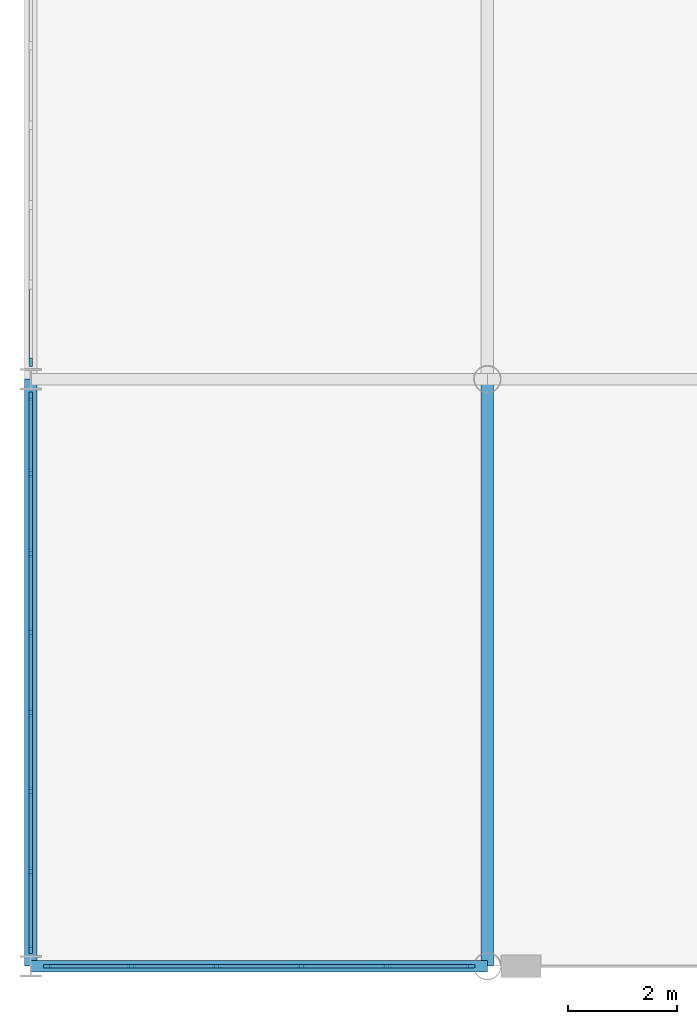
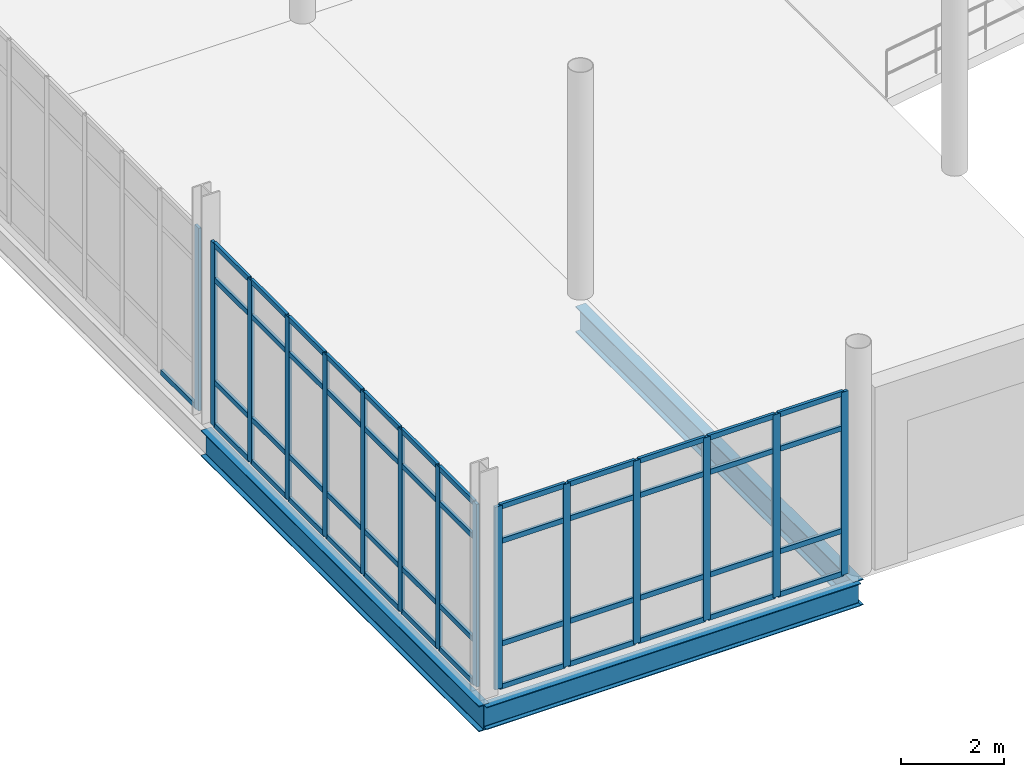
# One storey, part 20 of 111: 64 members, 3 beams, 3 elements without a shape of their own.
"""IFC4 building model written with IfcOpenShell, lengths in metres."""

import ifcopenshell
import ifcopenshell.guid

model = None  # the IFC model being written
_history = None  # IfcOwnerHistory: only IFC2X3 demands one
_inside = {}  # id of a spatial element -> (the spatial element, [elements in it])
_under = {}  # id of a project, library or spatial element -> (it, [spatial elements below it])
_declared = {}  # id of a project -> (the project, [libraries it declares])
_typed = {}  # id of a type object -> (the type object, [elements of that type])
_made_of = {}  # id of a material, layer set ... -> (it, [elements and type objects made of it])


def new_model(schema):
    """Start an empty IFC model of exactly this schema.

    Asked for "IFC4X3", IfcOpenShell would pick the latest addendum, in which some entities
    have other attributes; the version numbers below select the first issue.
    IFC2X3 requires an IfcOwnerHistory on every rooted entity: one is made here for all.
    """
    global model, _history
    if schema == "IFC4X3":
        model = ifcopenshell.file(schema_version=(4, 3, 0, 0))
    else:
        model = ifcopenshell.file(schema=schema)
    _inside.clear()
    _under.clear()
    _declared.clear()
    _typed.clear()
    _made_of.clear()
    _history = None
    if model.schema == "IFC2X3":
        org = make("IfcOrganization", Name="unknown")
        user = make(
            "IfcPersonAndOrganization",
            ThePerson=make("IfcPerson", FamilyName="unknown"),
            TheOrganization=org,
        )
        app = make(
            "IfcApplication",
            ApplicationDeveloper=org,
            Version="unknown",
            ApplicationFullName="unknown",
            ApplicationIdentifier="unknown",
        )
        _history = make(
            "IfcOwnerHistory",
            OwningUser=user,
            OwningApplication=app,
            ChangeAction="ADDED",
            CreationDate=0,
        )
    return model


def make(cls, **values):
    """One entity of the class cls with the attributes given. An attribute that is None is left unset."""
    return model.create_entity(
        cls, **{name: value for name, value in values.items() if value is not None}
    )


def rooted(cls, **values):
    """An entity with a GlobalId (a new one), such as an element, a storey or a relation."""
    return make(cls, GlobalId=ifcopenshell.guid.new(), OwnerHistory=_history, **values)


def si_unit(unit_type, name, prefix=None):
    """IfcSIUnit, for example si_unit("LENGTHUNIT", "METRE", prefix="MILLI")."""
    return make("IfcSIUnit", UnitType=unit_type, Prefix=prefix, Name=name)


def assignment(units):
    """IfcUnitAssignment: the units of a project."""
    return None if units is None else make("IfcUnitAssignment", Units=units)


def point(xyz):
    """IfcCartesianPoint."""
    return None if xyz is None else make("IfcCartesianPoint", Coordinates=xyz)


def direction(xyz):
    """IfcDirection."""
    return None if xyz is None else make("IfcDirection", DirectionRatios=xyz)


def frame(location, z_axis=None, x_axis=None):
    """IfcAxis2Placement3D, a coordinate frame: its origin and axes. An axis left out is left unset."""
    return make(
        "IfcAxis2Placement3D",
        Location=point(location),
        Axis=direction(z_axis),
        RefDirection=direction(x_axis),
    )


def frame_2d(location, x_axis=None):
    """IfcAxis2Placement2D, a coordinate frame in the plane: its origin and x axis."""
    return make(
        "IfcAxis2Placement2D", Location=point(location), RefDirection=direction(x_axis)
    )


def origin():
    """The frame at (0, 0, 0) with its axes left unset."""
    return frame((0.0, 0.0, 0.0))


def origin_2d():
    """The frame at (0, 0) in the plane with its x axis left unset."""
    return frame_2d((0.0, 0.0))


def place(relative_to, where):
    """IfcLocalPlacement: puts the frame where relative to a parent placement (None: the world)."""
    return make(
        "IfcLocalPlacement", PlacementRelTo=relative_to, RelativePlacement=where
    )


def context(
    kind, dimensions, precision=None, world=None, true_north=None, identifier=None
):
    """IfcGeometricRepresentationContext, for example the 3D "Model" context."""
    return make(
        "IfcGeometricRepresentationContext",
        ContextIdentifier=identifier,
        ContextType=kind,
        CoordinateSpaceDimension=dimensions,
        Precision=precision,
        WorldCoordinateSystem=world,
        TrueNorth=true_north,
    )


def subcontext(parent, identifier, kind, view, scale=None):
    """IfcGeometricRepresentationSubContext, for example "Body" below "Model"."""
    return make(
        "IfcGeometricRepresentationSubContext",
        ContextIdentifier=identifier,
        ContextType=kind,
        ParentContext=parent,
        TargetScale=scale,
        TargetView=view,
    )


def project(units=None, contexts=None):
    """IfcProject with its units and contexts."""
    return rooted(
        "IfcProject",
        Name="project",
        RepresentationContexts=contexts,
        UnitsInContext=assignment(units),
    )


def spatial(cls, under=None, at=None, **own):
    """A site, building, storey or space (cls), placed at a placement, below another one or the project."""
    s = rooted(cls, ObjectPlacement=at, **own)
    if under is not None:
        _under.setdefault(under.id(), (under, []))[1].append(s)
    return s


def profile(cls, at=None, kind="AREA", **sizes):
    """A parametric profile (cls). Its sizes go by their IFC names, for example OverallWidth=200.0."""
    return make(cls, ProfileType=kind, Position=at, **sizes)


def rectangle(**sizes):
    """IfcRectangleProfileDef."""
    return profile("IfcRectangleProfileDef", **sizes)


def i_section(**sizes):
    """IfcIShapeProfileDef."""
    return profile("IfcIShapeProfileDef", **sizes)


def extrude(swept, where, along, depth):
    """IfcExtrudedAreaSolid: the profile swept, set in the frame where, extruded along a direction by depth."""
    return make(
        "IfcExtrudedAreaSolid",
        SweptArea=swept,
        Position=where,
        ExtrudedDirection=direction(along),
        Depth=depth,
    )


def shape(context_of_items, identifier, shape_type, items):
    """IfcShapeRepresentation: the items that make up one representation, for example the "Body"."""
    return make(
        "IfcShapeRepresentation",
        ContextOfItems=context_of_items,
        RepresentationIdentifier=identifier,
        RepresentationType=shape_type,
        Items=items,
    )


def material(Name=None, Category=None):
    """IfcMaterial."""
    return make("IfcMaterial", Name=Name, Category=Category)


def layer(
    of_material, thickness, ventilated=None, Name=None, Category=None, Priority=None
):
    """IfcMaterialLayer: one layer of a wall or slab, of a material (None: an air gap)."""
    return make(
        "IfcMaterialLayer",
        Material=of_material,
        LayerThickness=thickness,
        IsVentilated=ventilated,
        Name=Name,
        Category=Category,
        Priority=Priority,
    )


def layer_set(layers, Name=None):
    """IfcMaterialLayerSet."""
    return make("IfcMaterialLayerSet", MaterialLayers=layers, LayerSetName=Name)


def material_profile(
    of_material, cross_section, Name=None, Category=None, Priority=None
):
    """IfcMaterialProfile: a cross section and its material."""
    return make(
        "IfcMaterialProfile",
        Name=Name,
        Material=of_material,
        Profile=cross_section,
        Priority=Priority,
        Category=Category,
    )


def profile_set(profiles, Name=None, composite=None):
    """IfcMaterialProfileSet."""
    return make(
        "IfcMaterialProfileSet",
        Name=Name,
        MaterialProfiles=profiles,
        CompositeProfile=composite,
    )


def made_of(thing, what):
    """Note that an element or type object is made of a material, layer set ...; save() writes the relation."""
    if what is not None:
        _made_of.setdefault(what.id(), (what, []))[1].append(thing)
    return thing


def type_object(cls, material=None, **own):
    """A type object (cls), such as IfcWallType, which elements share."""
    return made_of(rooted(cls, **own), material)


def element(
    cls,
    number,
    at=None,
    inside=None,
    cuts=None,
    type_object=None,
    material=None,
    context=None,
    identifier="Body",
    shape_type=None,
    held_by="IfcProductDefinitionShape",
    body=None,
    shapes=None,
    **own,
):
    """One element of the class cls, such as IfcWall. Its Tag is "e" and its number.

    at: its placement. inside: the storey or other place that contains it. cuts: it is an
    opening in that element (IfcRelVoidsElement). A single representation is given by context,
    identifier, shape_type and body (its items); several are given by shapes. held_by: the class
    of the entity that holds the representations. save() writes the other relations.
    """
    e = rooted(cls, Tag="e%d" % number, ObjectPlacement=at, **own)
    if body is not None:
        shapes = [shape(context, identifier, shape_type, body)]
    if shapes is not None:
        e.Representation = make(held_by, Representations=shapes)
    if inside is not None:
        _inside.setdefault(inside.id(), (inside, []))[1].append(e)
    if cuts is not None:
        rooted(
            "IfcRelVoidsElement", RelatingBuildingElement=cuts, RelatedOpeningElement=e
        )
    if type_object is not None:
        _typed.setdefault(type_object.id(), (type_object, []))[1].append(e)
    return made_of(e, material)


def aggregate(whole, parts):
    """IfcRelAggregates: a whole, such as a stair, and the parts it consists of."""
    return rooted("IfcRelAggregates", RelatingObject=whole, RelatedObjects=parts)


def save(model, path):
    """Write the relations noted so far, then the file.

    IfcRelAggregates (storeys below a building ...), IfcRelContainedInSpatialStructure (elements
    in a storey), IfcRelDefinesByType, IfcRelAssociatesMaterial and IfcRelDeclares: one each for
    every whole, place, type object, material and project.
    """
    for whole, parts in _under.values():
        aggregate(whole, parts)
    for where, things in _inside.values():
        rooted(
            "IfcRelContainedInSpatialStructure",
            RelatedElements=things,
            RelatingStructure=where,
        )
    for kind, things in _typed.values():
        rooted("IfcRelDefinesByType", RelatedObjects=things, RelatingType=kind)
    for what, things in _made_of.values():
        rooted("IfcRelAssociatesMaterial", RelatedObjects=things, RelatingMaterial=what)
    for by, libraries in _declared.values():
        rooted("IfcRelDeclares", RelatingContext=by, RelatedDefinitions=libraries)
    model.write(path)


model = new_model("IFC4")

# Units and contexts
model_context = context("Model", 3, precision=1e-05, world=origin(), true_north=direction((0.0, 1.0)))
body_context = subcontext(model_context, "Body", "Model", "MODEL_VIEW")
ifc_project = project(units=[si_unit("LENGTHUNIT", "METRE"), si_unit("AREAUNIT", "SQUARE_METRE"), si_unit("VOLUMEUNIT", "CUBIC_METRE"), si_unit("PLANEANGLEUNIT", "RADIAN"), si_unit("MASSUNIT", "GRAM", prefix="KILO"), si_unit("THERMODYNAMICTEMPERATUREUNIT", "KELVIN"), si_unit("POWERUNIT", "WATT")], contexts=[model_context])

# Site, building, storey
site_placement = place(None, origin())
site = spatial("IfcSite", under=ifc_project, at=site_placement, CompositionType="ELEMENT")
building_placement = place(site_placement, origin())
building = spatial("IfcBuilding", under=site, at=building_placement, Name="Tembeka Court Mobility Hub", CompositionType="ELEMENT")
storey_placement = place(building_placement, origin())
storey = spatial("IfcBuildingStorey", under=building, at=storey_placement, Name="L00", CompositionType="ELEMENT", Elevation=0.0)

# Beams
ifc_material_1 = material(Name="Steel S355", Category="steel")
ifc_material_profile_1 = material_profile(ifc_material_1, i_section(OverallWidth=0.22900390625, OverallDepth=0.612060546875, WebThickness=0.011962890625, FlangeThickness=0.01953125, FilletRadius=0.0126953125, at=origin_2d()), Name="UKB 610x229x125")
ifc_profile_set_1 = profile_set([ifc_material_profile_1], Name="Steel S355")
beam_type_1 = type_object("IfcBeamType", Name="BM-G02", PredefinedType="USERDEFINED", material=ifc_profile_set_1)
for number, where, z_axis, x_axis, name in (
    (1, (0.0, 0.0, -0.5859375), (0.0, 1.0, 0.0), (-1.0, 0.0, 0.0), "Beam G02 (BM-L00-Y0164)"),
    (2, (8.39990234375, 0.0, -0.5859375), (0.0, 1.0, 0.0), (-1.0, 0.0, 0.0), "Beam G02 (BM-L00-Y0175)"),
):
    element("IfcBeam", number, at=place(storey_placement, frame(where, z_axis=z_axis, x_axis=x_axis)), inside=storey, type_object=beam_type_1, Name=name, ObjectType="GIRDER", PredefinedType="USERDEFINED", context=body_context, shape_type="SweptSolid", body=[
        extrude(i_section(OverallWidth=0.22900390625, OverallDepth=0.612060546875, WebThickness=0.011962890625, FlangeThickness=0.01953125, FilletRadius=0.0126953125, at=origin_2d()), origin(), (0.0, 0.0, 1.0), 10.800048828125),
    ])
ifc_material_profile_2 = material_profile(ifc_material_1, i_section(OverallWidth=0.2099609375, OverallDepth=0.537109375, WebThickness=0.0107421875, FlangeThickness=0.017333984375, FilletRadius=0.0126953125, at=origin_2d()), Name="UKB 533x210x101")
ifc_profile_set_2 = profile_set([ifc_material_profile_2], Name="Steel S355")
beam_type_2 = type_object("IfcBeamType", Name="BM-G03", PredefinedType="USERDEFINED", material=ifc_profile_set_2)
beam_placement = place(storey_placement, frame((0.0, 0.0, -0.548583984375), z_axis=(1.0, 0.0, 0.0), x_axis=(0.0, 1.0, 0.0)))
element("IfcBeam", 3, at=beam_placement, inside=storey, type_object=beam_type_2, Name="Beam G03 (BM-L00-X0001)", ObjectType="GIRDER", PredefinedType="USERDEFINED", context=body_context, shape_type="SweptSolid", body=[
    extrude(i_section(OverallWidth=0.2099609375, OverallDepth=0.537109375, WebThickness=0.0107421875, FlangeThickness=0.017333984375, FilletRadius=0.0126953125, at=origin_2d()), origin(), (0.0, 0.0, 1.0), 8.39990234375),
])

# Curtain wall, members
ifc_material_2 = material(Name="Anodised aluminium 6063-T6", Category="aluminium")
ifc_layer_1 = layer(ifc_material_2, 0.159912109375)
ifc_layer_set_1 = layer_set([ifc_layer_1], Name="Anodised aluminium 6063-T6")
curtain_wall_type_1 = type_object("IfcCurtainWallType", Name="CW-SYS01", PredefinedType="USERDEFINED", material=ifc_layer_set_1)
curtain_wall_1_placement = place(storey_placement, origin())
curtain_wall_1 = element("IfcCurtainWall", 4, at=curtain_wall_1_placement, inside=storey, type_object=curtain_wall_type_1, Name="Unitised curtain wall CW01 (CW-L00-001)", ObjectType="UNITISED GLAZING", PredefinedType="USERDEFINED")
ifc_material_profile_3 = material_profile(ifc_material_2, rectangle(XDim=0.06494140625, YDim=0.159912109375, at=origin_2d()), Name="ALU-MUL 65x160")
ifc_profile_set_3 = profile_set([ifc_material_profile_3], Name="Anodised aluminium 6063-T6")
member_type_1 = type_object("IfcMemberType", Name="CW-MUL01", PredefinedType="MULLION", material=ifc_profile_set_3)
member_1_placement = place(storey_placement, frame((0.3125, 0.0, 0.0), z_axis=(0.0, 0.0, 1.0), x_axis=(0.0, 1.0, 0.0)))
member_1 = element("IfcMember", 5, at=member_1_placement, type_object=member_type_1, Name="CW01 mullion 1", PredefinedType="MULLION", context=body_context, shape_type="SweptSolid", body=[
    extrude(rectangle(XDim=0.06494140625, YDim=0.159912109375, at=origin_2d()), origin(), (0.0, 0.0, 1.0), 4.3349609375),
])
member_2_placement = place(storey_placement, frame((1.847900390625, 0.0, 0.0), z_axis=(0.0, 0.0, 1.0), x_axis=(0.0, 1.0, 0.0)))
member_2 = element("IfcMember", 6, at=member_2_placement, type_object=member_type_1, Name="CW01 mullion 2", PredefinedType="MULLION", context=body_context, shape_type="SweptSolid", body=[
    extrude(rectangle(XDim=0.06494140625, YDim=0.159912109375, at=origin_2d()), origin(), (0.0, 0.0, 1.0), 4.3349609375),
])
member_3_placement = place(storey_placement, frame((3.416015625, 0.0, 0.0), z_axis=(0.0, 0.0, 1.0), x_axis=(0.0, 1.0, 0.0)))
member_3 = element("IfcMember", 7, at=member_3_placement, type_object=member_type_1, Name="CW01 mullion 3", PredefinedType="MULLION", context=body_context, shape_type="SweptSolid", body=[
    extrude(rectangle(XDim=0.06494140625, YDim=0.159912109375, at=origin_2d()), origin(), (0.0, 0.0, 1.0), 4.3349609375),
])
member_4_placement = place(storey_placement, frame((4.98388671875, 0.0, 0.0), z_axis=(0.0, 0.0, 1.0), x_axis=(0.0, 1.0, 0.0)))
member_4 = element("IfcMember", 8, at=member_4_placement, type_object=member_type_1, Name="CW01 mullion 4", PredefinedType="MULLION", context=body_context, shape_type="SweptSolid", body=[
    extrude(rectangle(XDim=0.06494140625, YDim=0.159912109375, at=origin_2d()), origin(), (0.0, 0.0, 1.0), 4.3349609375),
])
member_5_placement = place(storey_placement, frame((6.552001953125, 0.0, 0.0), z_axis=(0.0, 0.0, 1.0), x_axis=(0.0, 1.0, 0.0)))
member_5 = element("IfcMember", 9, at=member_5_placement, type_object=member_type_1, Name="CW01 mullion 5", PredefinedType="MULLION", context=body_context, shape_type="SweptSolid", body=[
    extrude(rectangle(XDim=0.06494140625, YDim=0.159912109375, at=origin_2d()), origin(), (0.0, 0.0, 1.0), 4.3349609375),
])
member_6_placement = place(storey_placement, frame((8.08740234375, 0.0, 0.0), z_axis=(0.0, 0.0, 1.0), x_axis=(0.0, 1.0, 0.0)))
member_6 = element("IfcMember", 10, at=member_6_placement, type_object=member_type_1, Name="CW01 mullion 6", PredefinedType="MULLION", context=body_context, shape_type="SweptSolid", body=[
    extrude(rectangle(XDim=0.06494140625, YDim=0.159912109375, at=origin_2d()), origin(), (0.0, 0.0, 1.0), 4.3349609375),
])

ifc_layer_2 = layer(ifc_material_2, 0.159912109375)
ifc_layer_set_2 = layer_set([ifc_layer_2], Name="Anodised aluminium 6063-T6")
curtain_wall_type_2 = type_object("IfcCurtainWallType", Name="CW-SYS18", PredefinedType="USERDEFINED", material=ifc_layer_set_2)
curtain_wall_2_placement = place(storey_placement, origin())
curtain_wall_2 = element("IfcCurtainWall", 11, at=curtain_wall_2_placement, inside=storey, type_object=curtain_wall_type_2, Name="Unitised curtain wall CW18 (CW-L00-022)", ObjectType="UNITISED GLAZING", PredefinedType="USERDEFINED")
member_7_placement = place(storey_placement, frame((0.0, 0.3125, 0.0), z_axis=(0.0, 0.0, 1.0), x_axis=(-1.0, 0.0, 0.0)))
member_7 = element("IfcMember", 12, at=member_7_placement, type_object=member_type_1, Name="CW18 mullion 1", PredefinedType="MULLION", context=body_context, shape_type="SweptSolid", body=[
    extrude(rectangle(XDim=0.06494140625, YDim=0.159912109375, at=origin_2d()), origin(), (0.0, 0.0, 1.0), 4.3349609375),
])
member_8_placement = place(storey_placement, frame((0.0, 1.742919921875, 0.0), z_axis=(0.0, 0.0, 1.0), x_axis=(-1.0, 0.0, 0.0)))
member_8 = element("IfcMember", 13, at=member_8_placement, type_object=member_type_1, Name="CW18 mullion 2", PredefinedType="MULLION", context=body_context, shape_type="SweptSolid", body=[
    extrude(rectangle(XDim=0.06494140625, YDim=0.159912109375, at=origin_2d()), origin(), (0.0, 0.0, 1.0), 4.3349609375),
])
member_9_placement = place(storey_placement, frame((0.0, 3.205810546875, 0.0), z_axis=(0.0, 0.0, 1.0), x_axis=(-1.0, 0.0, 0.0)))
member_9 = element("IfcMember", 14, at=member_9_placement, type_object=member_type_1, Name="CW18 mullion 3", PredefinedType="MULLION", context=body_context, shape_type="SweptSolid", body=[
    extrude(rectangle(XDim=0.06494140625, YDim=0.159912109375, at=origin_2d()), origin(), (0.0, 0.0, 1.0), 4.3349609375),
])
member_10_placement = place(storey_placement, frame((0.0, 4.66845703125, 0.0), z_axis=(0.0, 0.0, 1.0), x_axis=(-1.0, 0.0, 0.0)))
member_10 = element("IfcMember", 15, at=member_10_placement, type_object=member_type_1, Name="CW18 mullion 4", PredefinedType="MULLION", context=body_context, shape_type="SweptSolid", body=[
    extrude(rectangle(XDim=0.06494140625, YDim=0.159912109375, at=origin_2d()), origin(), (0.0, 0.0, 1.0), 4.3349609375),
])
member_11_placement = place(storey_placement, frame((0.0, 6.13134765625, 0.0), z_axis=(0.0, 0.0, 1.0), x_axis=(-1.0, 0.0, 0.0)))
member_11 = element("IfcMember", 16, at=member_11_placement, type_object=member_type_1, Name="CW18 mullion 5", PredefinedType="MULLION", context=body_context, shape_type="SweptSolid", body=[
    extrude(rectangle(XDim=0.06494140625, YDim=0.159912109375, at=origin_2d()), origin(), (0.0, 0.0, 1.0), 4.3349609375),
])
member_12_placement = place(storey_placement, frame((0.0, 7.59423828125, 0.0), z_axis=(0.0, 0.0, 1.0), x_axis=(-1.0, 0.0, 0.0)))
member_12 = element("IfcMember", 17, at=member_12_placement, type_object=member_type_1, Name="CW18 mullion 6", PredefinedType="MULLION", context=body_context, shape_type="SweptSolid", body=[
    extrude(rectangle(XDim=0.06494140625, YDim=0.159912109375, at=origin_2d()), origin(), (0.0, 0.0, 1.0), 4.3349609375),
])
member_13_placement = place(storey_placement, frame((0.0, 9.05712890625, 0.0), z_axis=(0.0, 0.0, 1.0), x_axis=(-1.0, 0.0, 0.0)))
member_13 = element("IfcMember", 18, at=member_13_placement, type_object=member_type_1, Name="CW18 mullion 7", PredefinedType="MULLION", context=body_context, shape_type="SweptSolid", body=[
    extrude(rectangle(XDim=0.06494140625, YDim=0.159912109375, at=origin_2d()), origin(), (0.0, 0.0, 1.0), 4.3349609375),
])
member_14_placement = place(storey_placement, frame((0.0, 10.487548828125, 0.0), z_axis=(0.0, 0.0, 1.0), x_axis=(-1.0, 0.0, 0.0)))
member_14 = element("IfcMember", 19, at=member_14_placement, type_object=member_type_1, Name="CW18 mullion 8", PredefinedType="MULLION", context=body_context, shape_type="SweptSolid", body=[
    extrude(rectangle(XDim=0.06494140625, YDim=0.159912109375, at=origin_2d()), origin(), (0.0, 0.0, 1.0), 4.3349609375),
])

# Curtain wall, member
curtain_wall_3_placement = place(storey_placement, origin())
curtain_wall_3 = element("IfcCurtainWall", 20, at=curtain_wall_3_placement, inside=storey, type_object=curtain_wall_type_2, Name="Unitised curtain wall CW18 (CW-L00-024)", ObjectType="UNITISED GLAZING", PredefinedType="USERDEFINED")
member_15_placement = place(storey_placement, frame((0.0, 11.112548828125, 0.0), z_axis=(0.0, 0.0, 1.0), x_axis=(-1.0, 0.0, 0.0)))
member_15 = element("IfcMember", 21, at=member_15_placement, type_object=member_type_1, Name="CW18 mullion 1", PredefinedType="MULLION", context=body_context, shape_type="SweptSolid", body=[
    extrude(rectangle(XDim=0.06494140625, YDim=0.159912109375, at=origin_2d()), origin(), (0.0, 0.0, 1.0), 4.3349609375),
])

# Member
ifc_material_profile_4 = material_profile(ifc_material_2, rectangle(XDim=0.06494140625, YDim=0.1201171875, at=origin_2d()), Name="ALU-TRN 65x120")
ifc_profile_set_4 = profile_set([ifc_material_profile_4], Name="Anodised aluminium 6063-T6")
member_type_2 = type_object("IfcMemberType", Name="CW-TRN01", PredefinedType="USERDEFINED", material=ifc_profile_set_4)
member_16_placement = place(storey_placement, frame((0.344970703125, 0.0, 0.032470703125), z_axis=(1.0, 0.0, 0.0), x_axis=(0.0, 1.0, 0.0)))
member_16 = element("IfcMember", 22, at=member_16_placement, type_object=member_type_2, Name="CW01 transom 1.1", ObjectType="TRANSOM", PredefinedType="USERDEFINED", context=body_context, shape_type="SweptSolid", body=[
    extrude(rectangle(XDim=0.06494140625, YDim=0.1201171875, at=origin_2d()), origin(), (0.0, 0.0, 1.0), 1.470458984375),
])

member_17_placement = place(storey_placement, frame((0.344970703125, 0.0, 1.050048828125), z_axis=(1.0, 0.0, 0.0), x_axis=(0.0, 1.0, 0.0)))
member_17 = element("IfcMember", 23, at=member_17_placement, type_object=member_type_2, Name="CW01 transom 1.2", ObjectType="TRANSOM", PredefinedType="USERDEFINED", context=body_context, shape_type="SweptSolid", body=[
    extrude(rectangle(XDim=0.06494140625, YDim=0.1201171875, at=origin_2d()), origin(), (0.0, 0.0, 1.0), 1.470458984375),
])

member_18_placement = place(storey_placement, frame((0.344970703125, 0.0, 3.485107421875), z_axis=(1.0, 0.0, 0.0), x_axis=(0.0, 1.0, 0.0)))
member_18 = element("IfcMember", 24, at=member_18_placement, type_object=member_type_2, Name="CW01 transom 1.3", ObjectType="TRANSOM", PredefinedType="USERDEFINED", context=body_context, shape_type="SweptSolid", body=[
    extrude(rectangle(XDim=0.06494140625, YDim=0.1201171875, at=origin_2d()), origin(), (0.0, 0.0, 1.0), 1.470458984375),
])

member_19_placement = place(storey_placement, frame((0.344970703125, 0.0, 4.302490234375), z_axis=(1.0, 0.0, 0.0), x_axis=(0.0, 1.0, 0.0)))
member_19 = element("IfcMember", 25, at=member_19_placement, type_object=member_type_2, Name="CW01 transom 1.4", ObjectType="TRANSOM", PredefinedType="USERDEFINED", context=body_context, shape_type="SweptSolid", body=[
    extrude(rectangle(XDim=0.06494140625, YDim=0.1201171875, at=origin_2d()), origin(), (0.0, 0.0, 1.0), 1.470458984375),
])

member_20_placement = place(storey_placement, frame((1.880615234375, 0.0, 0.032470703125), z_axis=(1.0, 0.0, 0.0), x_axis=(0.0, 1.0, 0.0)))
member_20 = element("IfcMember", 26, at=member_20_placement, type_object=member_type_2, Name="CW01 transom 2.1", ObjectType="TRANSOM", PredefinedType="USERDEFINED", context=body_context, shape_type="SweptSolid", body=[
    extrude(rectangle(XDim=0.06494140625, YDim=0.1201171875, at=origin_2d()), origin(), (0.0, 0.0, 1.0), 1.5029296875),
])

member_21_placement = place(storey_placement, frame((1.880615234375, 0.0, 1.050048828125), z_axis=(1.0, 0.0, 0.0), x_axis=(0.0, 1.0, 0.0)))
member_21 = element("IfcMember", 27, at=member_21_placement, type_object=member_type_2, Name="CW01 transom 2.2", ObjectType="TRANSOM", PredefinedType="USERDEFINED", context=body_context, shape_type="SweptSolid", body=[
    extrude(rectangle(XDim=0.06494140625, YDim=0.1201171875, at=origin_2d()), origin(), (0.0, 0.0, 1.0), 1.5029296875),
])

member_22_placement = place(storey_placement, frame((1.880615234375, 0.0, 3.485107421875), z_axis=(1.0, 0.0, 0.0), x_axis=(0.0, 1.0, 0.0)))
member_22 = element("IfcMember", 28, at=member_22_placement, type_object=member_type_2, Name="CW01 transom 2.3", ObjectType="TRANSOM", PredefinedType="USERDEFINED", context=body_context, shape_type="SweptSolid", body=[
    extrude(rectangle(XDim=0.06494140625, YDim=0.1201171875, at=origin_2d()), origin(), (0.0, 0.0, 1.0), 1.5029296875),
])

member_23_placement = place(storey_placement, frame((1.880615234375, 0.0, 4.302490234375), z_axis=(1.0, 0.0, 0.0), x_axis=(0.0, 1.0, 0.0)))
member_23 = element("IfcMember", 29, at=member_23_placement, type_object=member_type_2, Name="CW01 transom 2.4", ObjectType="TRANSOM", PredefinedType="USERDEFINED", context=body_context, shape_type="SweptSolid", body=[
    extrude(rectangle(XDim=0.06494140625, YDim=0.1201171875, at=origin_2d()), origin(), (0.0, 0.0, 1.0), 1.5029296875),
])

member_24_placement = place(storey_placement, frame((3.448486328125, 0.0, 0.032470703125), z_axis=(1.0, 0.0, 0.0), x_axis=(0.0, 1.0, 0.0)))
member_24 = element("IfcMember", 30, at=member_24_placement, type_object=member_type_2, Name="CW01 transom 3.1", ObjectType="TRANSOM", PredefinedType="USERDEFINED", context=body_context, shape_type="SweptSolid", body=[
    extrude(rectangle(XDim=0.06494140625, YDim=0.1201171875, at=origin_2d()), origin(), (0.0, 0.0, 1.0), 1.5029296875),
])

member_25_placement = place(storey_placement, frame((3.448486328125, 0.0, 1.050048828125), z_axis=(1.0, 0.0, 0.0), x_axis=(0.0, 1.0, 0.0)))
member_25 = element("IfcMember", 31, at=member_25_placement, type_object=member_type_2, Name="CW01 transom 3.2", ObjectType="TRANSOM", PredefinedType="USERDEFINED", context=body_context, shape_type="SweptSolid", body=[
    extrude(rectangle(XDim=0.06494140625, YDim=0.1201171875, at=origin_2d()), origin(), (0.0, 0.0, 1.0), 1.5029296875),
])

member_26_placement = place(storey_placement, frame((3.448486328125, 0.0, 3.485107421875), z_axis=(1.0, 0.0, 0.0), x_axis=(0.0, 1.0, 0.0)))
member_26 = element("IfcMember", 32, at=member_26_placement, type_object=member_type_2, Name="CW01 transom 3.3", ObjectType="TRANSOM", PredefinedType="USERDEFINED", context=body_context, shape_type="SweptSolid", body=[
    extrude(rectangle(XDim=0.06494140625, YDim=0.1201171875, at=origin_2d()), origin(), (0.0, 0.0, 1.0), 1.5029296875),
])

member_27_placement = place(storey_placement, frame((3.448486328125, 0.0, 4.302490234375), z_axis=(1.0, 0.0, 0.0), x_axis=(0.0, 1.0, 0.0)))
member_27 = element("IfcMember", 33, at=member_27_placement, type_object=member_type_2, Name="CW01 transom 3.4", ObjectType="TRANSOM", PredefinedType="USERDEFINED", context=body_context, shape_type="SweptSolid", body=[
    extrude(rectangle(XDim=0.06494140625, YDim=0.1201171875, at=origin_2d()), origin(), (0.0, 0.0, 1.0), 1.5029296875),
])

member_28_placement = place(storey_placement, frame((5.0166015625, 0.0, 0.032470703125), z_axis=(1.0, 0.0, 0.0), x_axis=(0.0, 1.0, 0.0)))
member_28 = element("IfcMember", 34, at=member_28_placement, type_object=member_type_2, Name="CW01 transom 4.1", ObjectType="TRANSOM", PredefinedType="USERDEFINED", context=body_context, shape_type="SweptSolid", body=[
    extrude(rectangle(XDim=0.06494140625, YDim=0.1201171875, at=origin_2d()), origin(), (0.0, 0.0, 1.0), 1.5029296875),
])

member_29_placement = place(storey_placement, frame((5.0166015625, 0.0, 1.050048828125), z_axis=(1.0, 0.0, 0.0), x_axis=(0.0, 1.0, 0.0)))
member_29 = element("IfcMember", 35, at=member_29_placement, type_object=member_type_2, Name="CW01 transom 4.2", ObjectType="TRANSOM", PredefinedType="USERDEFINED", context=body_context, shape_type="SweptSolid", body=[
    extrude(rectangle(XDim=0.06494140625, YDim=0.1201171875, at=origin_2d()), origin(), (0.0, 0.0, 1.0), 1.5029296875),
])

member_30_placement = place(storey_placement, frame((5.0166015625, 0.0, 3.485107421875), z_axis=(1.0, 0.0, 0.0), x_axis=(0.0, 1.0, 0.0)))
member_30 = element("IfcMember", 36, at=member_30_placement, type_object=member_type_2, Name="CW01 transom 4.3", ObjectType="TRANSOM", PredefinedType="USERDEFINED", context=body_context, shape_type="SweptSolid", body=[
    extrude(rectangle(XDim=0.06494140625, YDim=0.1201171875, at=origin_2d()), origin(), (0.0, 0.0, 1.0), 1.5029296875),
])

member_31_placement = place(storey_placement, frame((5.0166015625, 0.0, 4.302490234375), z_axis=(1.0, 0.0, 0.0), x_axis=(0.0, 1.0, 0.0)))
member_31 = element("IfcMember", 37, at=member_31_placement, type_object=member_type_2, Name="CW01 transom 4.4", ObjectType="TRANSOM", PredefinedType="USERDEFINED", context=body_context, shape_type="SweptSolid", body=[
    extrude(rectangle(XDim=0.06494140625, YDim=0.1201171875, at=origin_2d()), origin(), (0.0, 0.0, 1.0), 1.5029296875),
])

member_32_placement = place(storey_placement, frame((6.58447265625, 0.0, 0.032470703125), z_axis=(1.0, 0.0, 0.0), x_axis=(0.0, 1.0, 0.0)))
member_32 = element("IfcMember", 38, at=member_32_placement, type_object=member_type_2, Name="CW01 transom 5.1", ObjectType="TRANSOM", PredefinedType="USERDEFINED", context=body_context, shape_type="SweptSolid", body=[
    extrude(rectangle(XDim=0.06494140625, YDim=0.1201171875, at=origin_2d()), origin(), (0.0, 0.0, 1.0), 1.470458984375),
])

member_33_placement = place(storey_placement, frame((6.58447265625, 0.0, 1.050048828125), z_axis=(1.0, 0.0, 0.0), x_axis=(0.0, 1.0, 0.0)))
member_33 = element("IfcMember", 39, at=member_33_placement, type_object=member_type_2, Name="CW01 transom 5.2", ObjectType="TRANSOM", PredefinedType="USERDEFINED", context=body_context, shape_type="SweptSolid", body=[
    extrude(rectangle(XDim=0.06494140625, YDim=0.1201171875, at=origin_2d()), origin(), (0.0, 0.0, 1.0), 1.470458984375),
])

member_34_placement = place(storey_placement, frame((6.58447265625, 0.0, 3.485107421875), z_axis=(1.0, 0.0, 0.0), x_axis=(0.0, 1.0, 0.0)))
member_34 = element("IfcMember", 40, at=member_34_placement, type_object=member_type_2, Name="CW01 transom 5.3", ObjectType="TRANSOM", PredefinedType="USERDEFINED", context=body_context, shape_type="SweptSolid", body=[
    extrude(rectangle(XDim=0.06494140625, YDim=0.1201171875, at=origin_2d()), origin(), (0.0, 0.0, 1.0), 1.470458984375),
])

member_35_placement = place(storey_placement, frame((6.58447265625, 0.0, 4.302490234375), z_axis=(1.0, 0.0, 0.0), x_axis=(0.0, 1.0, 0.0)))
member_35 = element("IfcMember", 41, at=member_35_placement, type_object=member_type_2, Name="CW01 transom 5.4", ObjectType="TRANSOM", PredefinedType="USERDEFINED", context=body_context, shape_type="SweptSolid", body=[
    extrude(rectangle(XDim=0.06494140625, YDim=0.1201171875, at=origin_2d()), origin(), (0.0, 0.0, 1.0), 1.470458984375),
])

aggregate(curtain_wall_1, [member_1, member_2, member_3, member_4, member_5, member_6, member_16, member_17, member_18, member_19, member_20, member_21, member_22, member_23, member_24, member_25, member_26, member_27, member_28, member_29, member_30, member_31, member_32, member_33, member_34, member_35])

member_36_placement = place(storey_placement, frame((0.0, 0.344970703125, 0.032470703125), z_axis=(0.0, 1.0, 0.0), x_axis=(-1.0, 0.0, 0.0)))
member_36 = element("IfcMember", 42, at=member_36_placement, type_object=member_type_2, Name="CW18 transom 1.1", ObjectType="TRANSOM", PredefinedType="USERDEFINED", context=body_context, shape_type="SweptSolid", body=[
    extrude(rectangle(XDim=0.06494140625, YDim=0.1201171875, at=origin_2d()), origin(), (0.0, 0.0, 1.0), 1.365478515625),
])

member_37_placement = place(storey_placement, frame((0.0, 0.344970703125, 1.050048828125), z_axis=(0.0, 1.0, 0.0), x_axis=(-1.0, 0.0, 0.0)))
member_37 = element("IfcMember", 43, at=member_37_placement, type_object=member_type_2, Name="CW18 transom 1.2", ObjectType="TRANSOM", PredefinedType="USERDEFINED", context=body_context, shape_type="SweptSolid", body=[
    extrude(rectangle(XDim=0.06494140625, YDim=0.1201171875, at=origin_2d()), origin(), (0.0, 0.0, 1.0), 1.365478515625),
])

member_38_placement = place(storey_placement, frame((0.0, 0.344970703125, 3.485107421875), z_axis=(0.0, 1.0, 0.0), x_axis=(-1.0, 0.0, 0.0)))
member_38 = element("IfcMember", 44, at=member_38_placement, type_object=member_type_2, Name="CW18 transom 1.3", ObjectType="TRANSOM", PredefinedType="USERDEFINED", context=body_context, shape_type="SweptSolid", body=[
    extrude(rectangle(XDim=0.06494140625, YDim=0.1201171875, at=origin_2d()), origin(), (0.0, 0.0, 1.0), 1.365478515625),
])

member_39_placement = place(storey_placement, frame((0.0, 0.344970703125, 4.302490234375), z_axis=(0.0, 1.0, 0.0), x_axis=(-1.0, 0.0, 0.0)))
member_39 = element("IfcMember", 45, at=member_39_placement, type_object=member_type_2, Name="CW18 transom 1.4", ObjectType="TRANSOM", PredefinedType="USERDEFINED", context=body_context, shape_type="SweptSolid", body=[
    extrude(rectangle(XDim=0.06494140625, YDim=0.1201171875, at=origin_2d()), origin(), (0.0, 0.0, 1.0), 1.365478515625),
])

member_40_placement = place(storey_placement, frame((0.0, 1.775390625, 0.032470703125), z_axis=(0.0, 1.0, 0.0), x_axis=(-1.0, 0.0, 0.0)))
member_40 = element("IfcMember", 46, at=member_40_placement, type_object=member_type_2, Name="CW18 transom 2.1", ObjectType="TRANSOM", PredefinedType="USERDEFINED", context=body_context, shape_type="SweptSolid", body=[
    extrude(rectangle(XDim=0.06494140625, YDim=0.1201171875, at=origin_2d()), origin(), (0.0, 0.0, 1.0), 1.397705078125),
])

member_41_placement = place(storey_placement, frame((0.0, 1.775390625, 1.050048828125), z_axis=(0.0, 1.0, 0.0), x_axis=(-1.0, 0.0, 0.0)))
member_41 = element("IfcMember", 47, at=member_41_placement, type_object=member_type_2, Name="CW18 transom 2.2", ObjectType="TRANSOM", PredefinedType="USERDEFINED", context=body_context, shape_type="SweptSolid", body=[
    extrude(rectangle(XDim=0.06494140625, YDim=0.1201171875, at=origin_2d()), origin(), (0.0, 0.0, 1.0), 1.397705078125),
])

member_42_placement = place(storey_placement, frame((0.0, 1.775390625, 3.485107421875), z_axis=(0.0, 1.0, 0.0), x_axis=(-1.0, 0.0, 0.0)))
member_42 = element("IfcMember", 48, at=member_42_placement, type_object=member_type_2, Name="CW18 transom 2.3", ObjectType="TRANSOM", PredefinedType="USERDEFINED", context=body_context, shape_type="SweptSolid", body=[
    extrude(rectangle(XDim=0.06494140625, YDim=0.1201171875, at=origin_2d()), origin(), (0.0, 0.0, 1.0), 1.397705078125),
])

member_43_placement = place(storey_placement, frame((0.0, 1.775390625, 4.302490234375), z_axis=(0.0, 1.0, 0.0), x_axis=(-1.0, 0.0, 0.0)))
member_43 = element("IfcMember", 49, at=member_43_placement, type_object=member_type_2, Name="CW18 transom 2.4", ObjectType="TRANSOM", PredefinedType="USERDEFINED", context=body_context, shape_type="SweptSolid", body=[
    extrude(rectangle(XDim=0.06494140625, YDim=0.1201171875, at=origin_2d()), origin(), (0.0, 0.0, 1.0), 1.397705078125),
])

member_44_placement = place(storey_placement, frame((0.0, 3.23828125, 0.032470703125), z_axis=(0.0, 1.0, 0.0), x_axis=(-1.0, 0.0, 0.0)))
member_44 = element("IfcMember", 50, at=member_44_placement, type_object=member_type_2, Name="CW18 transom 3.1", ObjectType="TRANSOM", PredefinedType="USERDEFINED", context=body_context, shape_type="SweptSolid", body=[
    extrude(rectangle(XDim=0.06494140625, YDim=0.1201171875, at=origin_2d()), origin(), (0.0, 0.0, 1.0), 1.397705078125),
])

member_45_placement = place(storey_placement, frame((0.0, 3.23828125, 1.050048828125), z_axis=(0.0, 1.0, 0.0), x_axis=(-1.0, 0.0, 0.0)))
member_45 = element("IfcMember", 51, at=member_45_placement, type_object=member_type_2, Name="CW18 transom 3.2", ObjectType="TRANSOM", PredefinedType="USERDEFINED", context=body_context, shape_type="SweptSolid", body=[
    extrude(rectangle(XDim=0.06494140625, YDim=0.1201171875, at=origin_2d()), origin(), (0.0, 0.0, 1.0), 1.397705078125),
])

member_46_placement = place(storey_placement, frame((0.0, 3.23828125, 3.485107421875), z_axis=(0.0, 1.0, 0.0), x_axis=(-1.0, 0.0, 0.0)))
member_46 = element("IfcMember", 52, at=member_46_placement, type_object=member_type_2, Name="CW18 transom 3.3", ObjectType="TRANSOM", PredefinedType="USERDEFINED", context=body_context, shape_type="SweptSolid", body=[
    extrude(rectangle(XDim=0.06494140625, YDim=0.1201171875, at=origin_2d()), origin(), (0.0, 0.0, 1.0), 1.397705078125),
])

member_47_placement = place(storey_placement, frame((0.0, 3.23828125, 4.302490234375), z_axis=(0.0, 1.0, 0.0), x_axis=(-1.0, 0.0, 0.0)))
member_47 = element("IfcMember", 53, at=member_47_placement, type_object=member_type_2, Name="CW18 transom 3.4", ObjectType="TRANSOM", PredefinedType="USERDEFINED", context=body_context, shape_type="SweptSolid", body=[
    extrude(rectangle(XDim=0.06494140625, YDim=0.1201171875, at=origin_2d()), origin(), (0.0, 0.0, 1.0), 1.397705078125),
])

member_48_placement = place(storey_placement, frame((0.0, 4.701171875, 0.032470703125), z_axis=(0.0, 1.0, 0.0), x_axis=(-1.0, 0.0, 0.0)))
member_48 = element("IfcMember", 54, at=member_48_placement, type_object=member_type_2, Name="CW18 transom 4.1", ObjectType="TRANSOM", PredefinedType="USERDEFINED", context=body_context, shape_type="SweptSolid", body=[
    extrude(rectangle(XDim=0.06494140625, YDim=0.1201171875, at=origin_2d()), origin(), (0.0, 0.0, 1.0), 1.397705078125),
])

member_49_placement = place(storey_placement, frame((0.0, 4.701171875, 1.050048828125), z_axis=(0.0, 1.0, 0.0), x_axis=(-1.0, 0.0, 0.0)))
member_49 = element("IfcMember", 55, at=member_49_placement, type_object=member_type_2, Name="CW18 transom 4.2", ObjectType="TRANSOM", PredefinedType="USERDEFINED", context=body_context, shape_type="SweptSolid", body=[
    extrude(rectangle(XDim=0.06494140625, YDim=0.1201171875, at=origin_2d()), origin(), (0.0, 0.0, 1.0), 1.397705078125),
])

member_50_placement = place(storey_placement, frame((0.0, 4.701171875, 3.485107421875), z_axis=(0.0, 1.0, 0.0), x_axis=(-1.0, 0.0, 0.0)))
member_50 = element("IfcMember", 56, at=member_50_placement, type_object=member_type_2, Name="CW18 transom 4.3", ObjectType="TRANSOM", PredefinedType="USERDEFINED", context=body_context, shape_type="SweptSolid", body=[
    extrude(rectangle(XDim=0.06494140625, YDim=0.1201171875, at=origin_2d()), origin(), (0.0, 0.0, 1.0), 1.397705078125),
])

member_51_placement = place(storey_placement, frame((0.0, 4.701171875, 4.302490234375), z_axis=(0.0, 1.0, 0.0), x_axis=(-1.0, 0.0, 0.0)))
member_51 = element("IfcMember", 57, at=member_51_placement, type_object=member_type_2, Name="CW18 transom 4.4", ObjectType="TRANSOM", PredefinedType="USERDEFINED", context=body_context, shape_type="SweptSolid", body=[
    extrude(rectangle(XDim=0.06494140625, YDim=0.1201171875, at=origin_2d()), origin(), (0.0, 0.0, 1.0), 1.397705078125),
])

member_52_placement = place(storey_placement, frame((0.0, 6.163818359375, 0.032470703125), z_axis=(0.0, 1.0, 0.0), x_axis=(-1.0, 0.0, 0.0)))
member_52 = element("IfcMember", 58, at=member_52_placement, type_object=member_type_2, Name="CW18 transom 5.1", ObjectType="TRANSOM", PredefinedType="USERDEFINED", context=body_context, shape_type="SweptSolid", body=[
    extrude(rectangle(XDim=0.06494140625, YDim=0.1201171875, at=origin_2d()), origin(), (0.0, 0.0, 1.0), 1.39794921875),
])

member_53_placement = place(storey_placement, frame((0.0, 6.163818359375, 1.050048828125), z_axis=(0.0, 1.0, 0.0), x_axis=(-1.0, 0.0, 0.0)))
member_53 = element("IfcMember", 59, at=member_53_placement, type_object=member_type_2, Name="CW18 transom 5.2", ObjectType="TRANSOM", PredefinedType="USERDEFINED", context=body_context, shape_type="SweptSolid", body=[
    extrude(rectangle(XDim=0.06494140625, YDim=0.1201171875, at=origin_2d()), origin(), (0.0, 0.0, 1.0), 1.39794921875),
])

member_54_placement = place(storey_placement, frame((0.0, 6.163818359375, 3.485107421875), z_axis=(0.0, 1.0, 0.0), x_axis=(-1.0, 0.0, 0.0)))
member_54 = element("IfcMember", 60, at=member_54_placement, type_object=member_type_2, Name="CW18 transom 5.3", ObjectType="TRANSOM", PredefinedType="USERDEFINED", context=body_context, shape_type="SweptSolid", body=[
    extrude(rectangle(XDim=0.06494140625, YDim=0.1201171875, at=origin_2d()), origin(), (0.0, 0.0, 1.0), 1.39794921875),
])

member_55_placement = place(storey_placement, frame((0.0, 6.163818359375, 4.302490234375), z_axis=(0.0, 1.0, 0.0), x_axis=(-1.0, 0.0, 0.0)))
member_55 = element("IfcMember", 61, at=member_55_placement, type_object=member_type_2, Name="CW18 transom 5.4", ObjectType="TRANSOM", PredefinedType="USERDEFINED", context=body_context, shape_type="SweptSolid", body=[
    extrude(rectangle(XDim=0.06494140625, YDim=0.1201171875, at=origin_2d()), origin(), (0.0, 0.0, 1.0), 1.39794921875),
])

member_56_placement = place(storey_placement, frame((0.0, 7.626708984375, 0.032470703125), z_axis=(0.0, 1.0, 0.0), x_axis=(-1.0, 0.0, 0.0)))
member_56 = element("IfcMember", 62, at=member_56_placement, type_object=member_type_2, Name="CW18 transom 6.1", ObjectType="TRANSOM", PredefinedType="USERDEFINED", context=body_context, shape_type="SweptSolid", body=[
    extrude(rectangle(XDim=0.06494140625, YDim=0.1201171875, at=origin_2d()), origin(), (0.0, 0.0, 1.0), 1.39794921875),
])

member_57_placement = place(storey_placement, frame((0.0, 7.626708984375, 1.050048828125), z_axis=(0.0, 1.0, 0.0), x_axis=(-1.0, 0.0, 0.0)))
member_57 = element("IfcMember", 63, at=member_57_placement, type_object=member_type_2, Name="CW18 transom 6.2", ObjectType="TRANSOM", PredefinedType="USERDEFINED", context=body_context, shape_type="SweptSolid", body=[
    extrude(rectangle(XDim=0.06494140625, YDim=0.1201171875, at=origin_2d()), origin(), (0.0, 0.0, 1.0), 1.39794921875),
])

member_58_placement = place(storey_placement, frame((0.0, 7.626708984375, 3.485107421875), z_axis=(0.0, 1.0, 0.0), x_axis=(-1.0, 0.0, 0.0)))
member_58 = element("IfcMember", 64, at=member_58_placement, type_object=member_type_2, Name="CW18 transom 6.3", ObjectType="TRANSOM", PredefinedType="USERDEFINED", context=body_context, shape_type="SweptSolid", body=[
    extrude(rectangle(XDim=0.06494140625, YDim=0.1201171875, at=origin_2d()), origin(), (0.0, 0.0, 1.0), 1.39794921875),
])

member_59_placement = place(storey_placement, frame((0.0, 7.626708984375, 4.302490234375), z_axis=(0.0, 1.0, 0.0), x_axis=(-1.0, 0.0, 0.0)))
member_59 = element("IfcMember", 65, at=member_59_placement, type_object=member_type_2, Name="CW18 transom 6.4", ObjectType="TRANSOM", PredefinedType="USERDEFINED", context=body_context, shape_type="SweptSolid", body=[
    extrude(rectangle(XDim=0.06494140625, YDim=0.1201171875, at=origin_2d()), origin(), (0.0, 0.0, 1.0), 1.39794921875),
])

member_60_placement = place(storey_placement, frame((0.0, 9.089599609375, 0.032470703125), z_axis=(0.0, 1.0, 0.0), x_axis=(-1.0, 0.0, 0.0)))
member_60 = element("IfcMember", 66, at=member_60_placement, type_object=member_type_2, Name="CW18 transom 7.1", ObjectType="TRANSOM", PredefinedType="USERDEFINED", context=body_context, shape_type="SweptSolid", body=[
    extrude(rectangle(XDim=0.06494140625, YDim=0.1201171875, at=origin_2d()), origin(), (0.0, 0.0, 1.0), 1.365478515625),
])

member_61_placement = place(storey_placement, frame((0.0, 9.089599609375, 1.050048828125), z_axis=(0.0, 1.0, 0.0), x_axis=(-1.0, 0.0, 0.0)))
member_61 = element("IfcMember", 67, at=member_61_placement, type_object=member_type_2, Name="CW18 transom 7.2", ObjectType="TRANSOM", PredefinedType="USERDEFINED", context=body_context, shape_type="SweptSolid", body=[
    extrude(rectangle(XDim=0.06494140625, YDim=0.1201171875, at=origin_2d()), origin(), (0.0, 0.0, 1.0), 1.365478515625),
])

member_62_placement = place(storey_placement, frame((0.0, 9.089599609375, 3.485107421875), z_axis=(0.0, 1.0, 0.0), x_axis=(-1.0, 0.0, 0.0)))
member_62 = element("IfcMember", 68, at=member_62_placement, type_object=member_type_2, Name="CW18 transom 7.3", ObjectType="TRANSOM", PredefinedType="USERDEFINED", context=body_context, shape_type="SweptSolid", body=[
    extrude(rectangle(XDim=0.06494140625, YDim=0.1201171875, at=origin_2d()), origin(), (0.0, 0.0, 1.0), 1.365478515625),
])

member_63_placement = place(storey_placement, frame((0.0, 9.089599609375, 4.302490234375), z_axis=(0.0, 1.0, 0.0), x_axis=(-1.0, 0.0, 0.0)))
member_63 = element("IfcMember", 69, at=member_63_placement, type_object=member_type_2, Name="CW18 transom 7.4", ObjectType="TRANSOM", PredefinedType="USERDEFINED", context=body_context, shape_type="SweptSolid", body=[
    extrude(rectangle(XDim=0.06494140625, YDim=0.1201171875, at=origin_2d()), origin(), (0.0, 0.0, 1.0), 1.365478515625),
])

aggregate(curtain_wall_2, [member_7, member_8, member_9, member_10, member_11, member_12, member_13, member_14, member_36, member_37, member_38, member_39, member_40, member_41, member_42, member_43, member_44, member_45, member_46, member_47, member_48, member_49, member_50, member_51, member_52, member_53, member_54, member_55, member_56, member_57, member_58, member_59, member_60, member_61, member_62, member_63])

member_64_placement = place(storey_placement, frame((0.0, 11.14501953125, 0.032470703125), z_axis=(0.0, 1.0, 0.0), x_axis=(-1.0, 0.0, 0.0)))
member_64 = element("IfcMember", 70, at=member_64_placement, type_object=member_type_2, Name="CW18 transom 1.1", ObjectType="TRANSOM", PredefinedType="USERDEFINED", context=body_context, shape_type="SweptSolid", body=[
    extrude(rectangle(XDim=0.06494140625, YDim=0.1201171875, at=origin_2d()), origin(), (0.0, 0.0, 1.0), 1.365234375),
])

aggregate(curtain_wall_3, [member_15, member_64])

save(model, "model.ifc")
